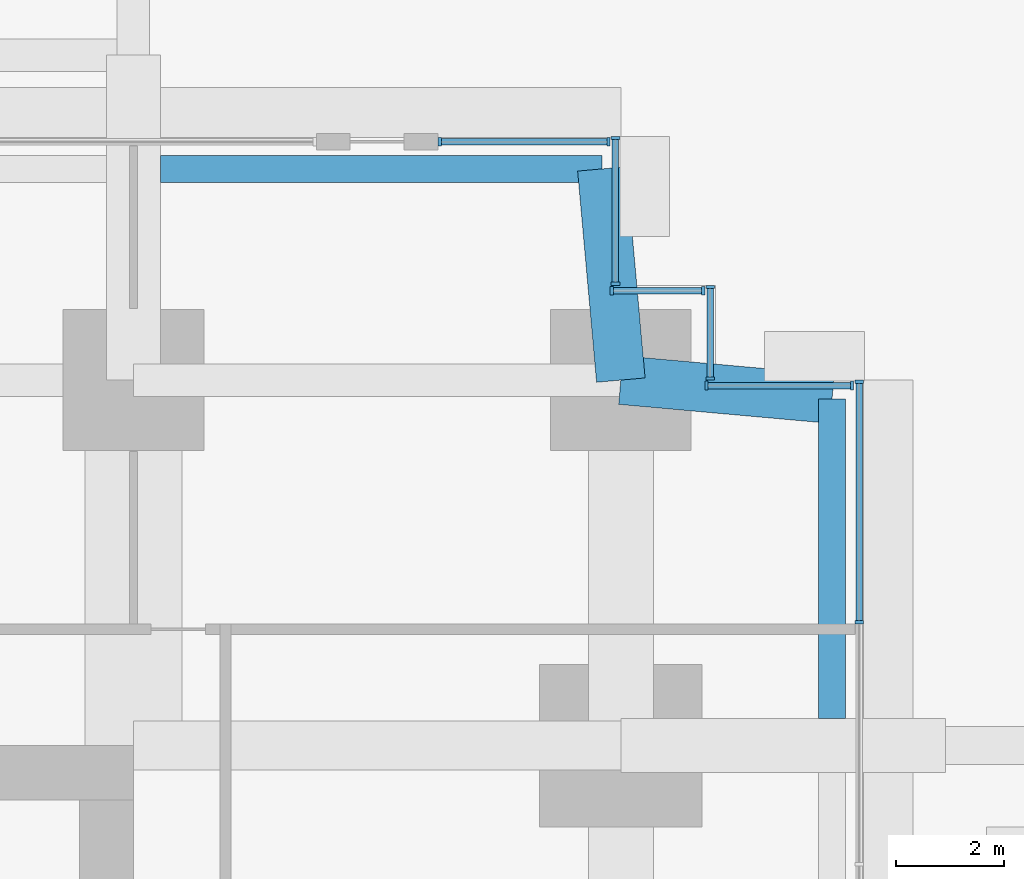
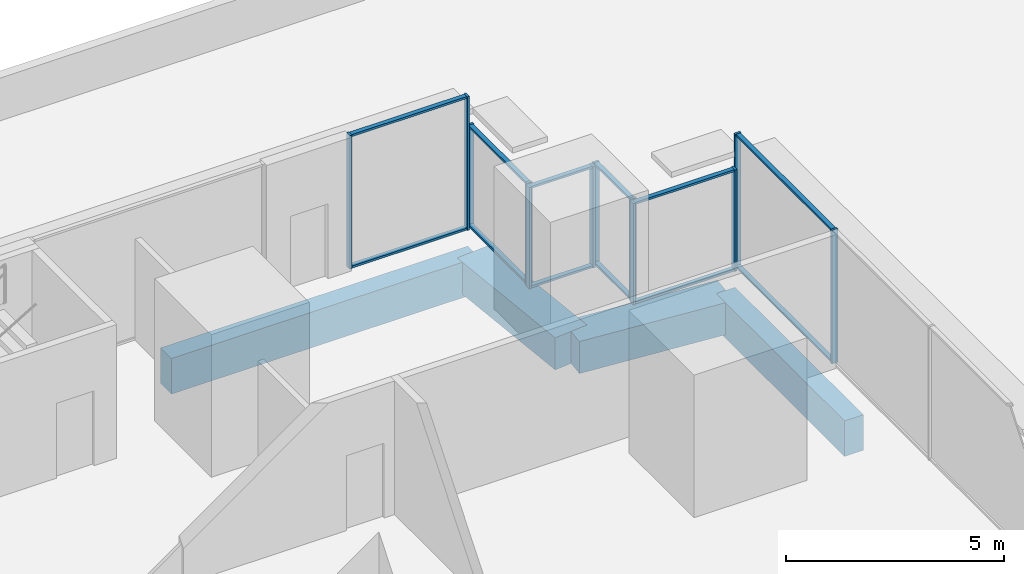
# One storey, part 11 of 34: 24 members, 4 beams, 6 elements without a shape of their own.
"""IFC4 building model written with IfcOpenShell, lengths in metres."""

from ifc_helpers import new_model, si_unit, direction, frame, origin, origin_2d, place, context, subcontext, project, spatial, rectangle, extrude, material, layer, layer_set, material_profile, profile_set, type_object, element, aggregate, save


model = new_model("IFC4")

# Units and contexts
model_context = context("Model", 3, precision=1e-05, world=origin(), true_north=direction((0.0, 1.0)))
body_context = subcontext(model_context, "Body", "Model", "MODEL_VIEW")
ifc_project = project(units=[si_unit("LENGTHUNIT", "METRE"), si_unit("AREAUNIT", "SQUARE_METRE"), si_unit("VOLUMEUNIT", "CUBIC_METRE"), si_unit("PLANEANGLEUNIT", "RADIAN"), si_unit("MASSUNIT", "GRAM", prefix="KILO")], contexts=[model_context])

# Site, building, storey
site_placement = place(None, origin())
site = spatial("IfcSite", under=ifc_project, at=site_placement, CompositionType="ELEMENT")
building_placement = place(site_placement, origin())
building = spatial("IfcBuilding", under=site, at=building_placement, Name="Namib Vertical Campus", CompositionType="ELEMENT")
storey_placement = place(building_placement, frame((0.0, 0.0, 21.0)))
storey = spatial("IfcBuildingStorey", under=building, at=storey_placement, Name="L04", CompositionType="ELEMENT", Elevation=21.0)

# Curtain wall, members
ifc_material_1 = material(Name="Black aluminium curtain wall", Category="aluminium")
ifc_layer = layer(ifc_material_1, 0.199951171875)
ifc_layer_set = layer_set([ifc_layer], Name="Lounge curtain wall CW-L4")
curtain_wall_type = type_object("IfcCurtainWallType", Name="Lounge curtain wall CW-L4", PredefinedType="USERDEFINED", material=ifc_layer_set)
curtain_wall_1_placement = place(storey_placement, origin())
curtain_wall_1 = element("IfcCurtainWall", 1, at=curtain_wall_1_placement, inside=storey, type_object=curtain_wall_type, Name="Curtain wall CW-L4 L04 F06-1", ObjectType="CURTAIN WALL", PredefinedType="USERDEFINED")
ifc_material_2 = material(Name="Black anodised aluminium", Category="aluminium")
ifc_material_profile_1 = material_profile(ifc_material_2, rectangle(XDim=0.06005859375, YDim=0.159912109375, at=origin_2d()))
ifc_profile_set_1 = profile_set([ifc_material_profile_1], Name="Black anodised aluminium")
member_type_1 = type_object("IfcMemberType", Name="Curtain wall mullion 60x160", PredefinedType="MULLION", material=ifc_profile_set_1)
member_1_placement = place(storey_placement, frame((40.39990234375, 31.528564453125, 0.0), z_axis=(0.0, 0.0, 1.0), x_axis=(0.0, 1.0, 0.0)))
member_1 = element("IfcMember", 2, at=member_1_placement, type_object=member_type_1, Name="CW-L4 mullion 7", PredefinedType="MULLION", context=body_context, shape_type="SweptSolid", body=[
    extrude(rectangle(XDim=0.06005859375, YDim=0.159912109375, at=origin_2d()), origin(), (0.0, 0.0, 1.0), 3.75),
])
member_2_placement = place(storey_placement, frame((40.39990234375, 35.969970703125, 0.0), z_axis=(0.0, 0.0, 1.0), x_axis=(0.0, 1.0, 0.0)))
member_2 = element("IfcMember", 3, at=member_2_placement, type_object=member_type_1, Name="CW-L4 mullion 8", PredefinedType="MULLION", context=body_context, shape_type="SweptSolid", body=[
    extrude(rectangle(XDim=0.06005859375, YDim=0.159912109375, at=origin_2d()), origin(), (0.0, 0.0, 1.0), 3.75),
])

curtain_wall_2_placement = place(storey_placement, origin())
curtain_wall_2 = element("IfcCurtainWall", 4, at=curtain_wall_2_placement, inside=storey, type_object=curtain_wall_type, Name="Curtain wall CW-L4 L04 F07-1", ObjectType="CURTAIN WALL", PredefinedType="USERDEFINED")
member_3_placement = place(storey_placement, frame((40.27001953125, 35.89990234375, 0.0), z_axis=(0.0, 0.0, 1.0), x_axis=(-1.0, 0.0, 0.0)))
member_3 = element("IfcMember", 5, at=member_3_placement, type_object=member_type_1, Name="CW-L4 mullion 1", PredefinedType="MULLION", context=body_context, shape_type="SweptSolid", body=[
    extrude(rectangle(XDim=0.06005859375, YDim=0.159912109375, at=origin_2d()), origin(), (0.0, 0.0, 1.0), 2.85009765625),
])
member_4_placement = place(storey_placement, frame((37.580078125, 35.89990234375, 0.0), z_axis=(0.0, 0.0, 1.0), x_axis=(-1.0, 0.0, 0.0)))
member_4 = element("IfcMember", 6, at=member_4_placement, type_object=member_type_1, Name="CW-L4 mullion 2", PredefinedType="MULLION", context=body_context, shape_type="SweptSolid", body=[
    extrude(rectangle(XDim=0.06005859375, YDim=0.159912109375, at=origin_2d()), origin(), (0.0, 0.0, 1.0), 2.85009765625),
])

curtain_wall_3_placement = place(storey_placement, origin())
curtain_wall_3 = element("IfcCurtainWall", 7, at=curtain_wall_3_placement, inside=storey, type_object=curtain_wall_type, Name="Curtain wall CW-L4 L04 F08-1", ObjectType="CURTAIN WALL", PredefinedType="USERDEFINED")
member_5_placement = place(storey_placement, frame((37.64990234375, 36.030029296875, 0.0), z_axis=(0.0, 0.0, 1.0), x_axis=(0.0, 1.0, 0.0)))
member_5 = element("IfcMember", 8, at=member_5_placement, type_object=member_type_1, Name="CW-L4 mullion 1", PredefinedType="MULLION", context=body_context, shape_type="SweptSolid", body=[
    extrude(rectangle(XDim=0.06005859375, YDim=0.159912109375, at=origin_2d()), origin(), (0.0, 0.0, 1.0), 2.85009765625),
])
member_6_placement = place(storey_placement, frame((37.64990234375, 37.719970703125, 0.0), z_axis=(0.0, 0.0, 1.0), x_axis=(0.0, 1.0, 0.0)))
member_6 = element("IfcMember", 9, at=member_6_placement, type_object=member_type_1, Name="CW-L4 mullion 2", PredefinedType="MULLION", context=body_context, shape_type="SweptSolid", body=[
    extrude(rectangle(XDim=0.06005859375, YDim=0.159912109375, at=origin_2d()), origin(), (0.0, 0.0, 1.0), 2.85009765625),
])

curtain_wall_4_placement = place(storey_placement, origin())
curtain_wall_4 = element("IfcCurtainWall", 10, at=curtain_wall_4_placement, inside=storey, type_object=curtain_wall_type, Name="Curtain wall CW-L4 L04 F09-1", ObjectType="CURTAIN WALL", PredefinedType="USERDEFINED")
member_7_placement = place(storey_placement, frame((37.52001953125, 37.64990234375, 0.0), z_axis=(0.0, 0.0, 1.0), x_axis=(-1.0, 0.0, 0.0)))
member_7 = element("IfcMember", 11, at=member_7_placement, type_object=member_type_1, Name="CW-L4 mullion 1", PredefinedType="MULLION", context=body_context, shape_type="SweptSolid", body=[
    extrude(rectangle(XDim=0.06005859375, YDim=0.159912109375, at=origin_2d()), origin(), (0.0, 0.0, 1.0), 2.85009765625),
])
member_8_placement = place(storey_placement, frame((35.830078125, 37.64990234375, 0.0), z_axis=(0.0, 0.0, 1.0), x_axis=(-1.0, 0.0, 0.0)))
member_8 = element("IfcMember", 12, at=member_8_placement, type_object=member_type_1, Name="CW-L4 mullion 2", PredefinedType="MULLION", context=body_context, shape_type="SweptSolid", body=[
    extrude(rectangle(XDim=0.06005859375, YDim=0.159912109375, at=origin_2d()), origin(), (0.0, 0.0, 1.0), 2.85009765625),
])

curtain_wall_5_placement = place(storey_placement, origin())
curtain_wall_5 = element("IfcCurtainWall", 13, at=curtain_wall_5_placement, inside=storey, type_object=curtain_wall_type, Name="Curtain wall CW-L4 L04 F10-1", ObjectType="CURTAIN WALL", PredefinedType="USERDEFINED")
member_9_placement = place(storey_placement, frame((35.89990234375, 37.780029296875, 0.0), z_axis=(0.0, 0.0, 1.0), x_axis=(0.0, 1.0, 0.0)))
member_9 = element("IfcMember", 14, at=member_9_placement, type_object=member_type_1, Name="CW-L4 mullion 1", PredefinedType="MULLION", context=body_context, shape_type="SweptSolid", body=[
    extrude(rectangle(XDim=0.06005859375, YDim=0.159912109375, at=origin_2d()), origin(), (0.0, 0.0, 1.0), 2.85009765625),
])
member_10_placement = place(storey_placement, frame((35.89990234375, 40.469970703125, 0.0), z_axis=(0.0, 0.0, 1.0), x_axis=(0.0, 1.0, 0.0)))
member_10 = element("IfcMember", 15, at=member_10_placement, type_object=member_type_1, Name="CW-L4 mullion 2", PredefinedType="MULLION", context=body_context, shape_type="SweptSolid", body=[
    extrude(rectangle(XDim=0.06005859375, YDim=0.159912109375, at=origin_2d()), origin(), (0.0, 0.0, 1.0), 2.85009765625),
])

curtain_wall_6_placement = place(storey_placement, origin())
curtain_wall_6 = element("IfcCurtainWall", 16, at=curtain_wall_6_placement, inside=storey, type_object=curtain_wall_type, Name="Curtain wall CW-L4 L04 F11-1", ObjectType="CURTAIN WALL", PredefinedType="USERDEFINED")
member_11_placement = place(storey_placement, frame((35.77001953125, 40.39990234375, 0.0), z_axis=(0.0, 0.0, 1.0), x_axis=(-1.0, 0.0, 0.0)))
member_11 = element("IfcMember", 17, at=member_11_placement, type_object=member_type_1, Name="CW-L4 mullion 1", PredefinedType="MULLION", context=body_context, shape_type="SweptSolid", body=[
    extrude(rectangle(XDim=0.06005859375, YDim=0.159912109375, at=origin_2d()), origin(), (0.0, 0.0, 1.0), 3.75),
])
member_12_placement = place(storey_placement, frame((32.655029296875, 40.39990234375, 0.0), z_axis=(0.0, 0.0, 1.0), x_axis=(-1.0, 0.0, 0.0)))
member_12 = element("IfcMember", 18, at=member_12_placement, type_object=member_type_1, Name="CW-L4 mullion 2", PredefinedType="MULLION", context=body_context, shape_type="SweptSolid", body=[
    extrude(rectangle(XDim=0.06005859375, YDim=0.159912109375, at=origin_2d()), origin(), (0.0, 0.0, 1.0), 3.75),
])

# Member
ifc_material_3 = material(Name="Black anodised aluminium", Category="aluminium")
ifc_material_profile_2 = material_profile(ifc_material_3, rectangle(XDim=0.06005859375, YDim=0.1201171875, at=origin_2d()))
ifc_profile_set_2 = profile_set([ifc_material_profile_2], Name="Black anodised aluminium")
member_type_2 = type_object("IfcMemberType", Name="Curtain wall transom 60x120", PredefinedType="USERDEFINED", material=ifc_profile_set_2)
member_13_placement = place(storey_placement, frame((40.39990234375, 31.55859375, 0.030029296875), z_axis=(0.0, 1.0, 0.0), x_axis=(0.0, 0.0, 1.0)))
member_13 = element("IfcMember", 19, at=member_13_placement, type_object=member_type_2, Name="CW-L4 transom 7.1", ObjectType="TRANSOM", PredefinedType="USERDEFINED", context=body_context, shape_type="SweptSolid", body=[
    extrude(rectangle(XDim=0.06005859375, YDim=0.1201171875, at=origin_2d()), origin(), (0.0, 0.0, 1.0), 4.38134765625),
])

member_14_placement = place(storey_placement, frame((40.39990234375, 31.55859375, 3.719970703125), z_axis=(0.0, 1.0, 0.0), x_axis=(0.0, 0.0, 1.0)))
member_14 = element("IfcMember", 20, at=member_14_placement, type_object=member_type_2, Name="CW-L4 transom 7.2", ObjectType="TRANSOM", PredefinedType="USERDEFINED", context=body_context, shape_type="SweptSolid", body=[
    extrude(rectangle(XDim=0.06005859375, YDim=0.1201171875, at=origin_2d()), origin(), (0.0, 0.0, 1.0), 4.38134765625),
])

aggregate(curtain_wall_1, [member_1, member_2, member_13, member_14])

member_15_placement = place(storey_placement, frame((40.239990234375, 35.89990234375, 0.030029296875), z_axis=(-1.0, 0.0, 0.0), x_axis=(0.0, 0.0, 1.0)))
member_15 = element("IfcMember", 21, at=member_15_placement, type_object=member_type_2, Name="CW-L4 transom 1.1", ObjectType="TRANSOM", PredefinedType="USERDEFINED", context=body_context, shape_type="SweptSolid", body=[
    extrude(rectangle(XDim=0.06005859375, YDim=0.1201171875, at=origin_2d()), origin(), (0.0, 0.0, 1.0), 2.6298828125),
])

member_16_placement = place(storey_placement, frame((40.239990234375, 35.89990234375, 2.820068359375), z_axis=(-1.0, 0.0, 0.0), x_axis=(0.0, 0.0, 1.0)))
member_16 = element("IfcMember", 22, at=member_16_placement, type_object=member_type_2, Name="CW-L4 transom 1.2", ObjectType="TRANSOM", PredefinedType="USERDEFINED", context=body_context, shape_type="SweptSolid", body=[
    extrude(rectangle(XDim=0.06005859375, YDim=0.1201171875, at=origin_2d()), origin(), (0.0, 0.0, 1.0), 2.6298828125),
])

aggregate(curtain_wall_2, [member_3, member_4, member_15, member_16])

member_17_placement = place(storey_placement, frame((37.64990234375, 36.06005859375, 0.030029296875), z_axis=(0.0, 1.0, 0.0), x_axis=(0.0, 0.0, 1.0)))
member_17 = element("IfcMember", 23, at=member_17_placement, type_object=member_type_2, Name="CW-L4 transom 1.1", ObjectType="TRANSOM", PredefinedType="USERDEFINED", context=body_context, shape_type="SweptSolid", body=[
    extrude(rectangle(XDim=0.06005859375, YDim=0.1201171875, at=origin_2d()), origin(), (0.0, 0.0, 1.0), 1.6298828125),
])

member_18_placement = place(storey_placement, frame((37.64990234375, 36.06005859375, 2.820068359375), z_axis=(0.0, 1.0, 0.0), x_axis=(0.0, 0.0, 1.0)))
member_18 = element("IfcMember", 24, at=member_18_placement, type_object=member_type_2, Name="CW-L4 transom 1.2", ObjectType="TRANSOM", PredefinedType="USERDEFINED", context=body_context, shape_type="SweptSolid", body=[
    extrude(rectangle(XDim=0.06005859375, YDim=0.1201171875, at=origin_2d()), origin(), (0.0, 0.0, 1.0), 1.6298828125),
])

aggregate(curtain_wall_3, [member_5, member_6, member_17, member_18])

member_19_placement = place(storey_placement, frame((37.489990234375, 37.64990234375, 0.030029296875), z_axis=(-1.0, 0.0, 0.0), x_axis=(0.0, 0.0, 1.0)))
member_19 = element("IfcMember", 25, at=member_19_placement, type_object=member_type_2, Name="CW-L4 transom 1.1", ObjectType="TRANSOM", PredefinedType="USERDEFINED", context=body_context, shape_type="SweptSolid", body=[
    extrude(rectangle(XDim=0.06005859375, YDim=0.1201171875, at=origin_2d()), origin(), (0.0, 0.0, 1.0), 1.6298828125),
])

member_20_placement = place(storey_placement, frame((37.489990234375, 37.64990234375, 2.820068359375), z_axis=(-1.0, 0.0, 0.0), x_axis=(0.0, 0.0, 1.0)))
member_20 = element("IfcMember", 26, at=member_20_placement, type_object=member_type_2, Name="CW-L4 transom 1.2", ObjectType="TRANSOM", PredefinedType="USERDEFINED", context=body_context, shape_type="SweptSolid", body=[
    extrude(rectangle(XDim=0.06005859375, YDim=0.1201171875, at=origin_2d()), origin(), (0.0, 0.0, 1.0), 1.6298828125),
])

aggregate(curtain_wall_4, [member_7, member_8, member_19, member_20])

member_21_placement = place(storey_placement, frame((35.89990234375, 37.81005859375, 0.030029296875), z_axis=(0.0, 1.0, 0.0), x_axis=(0.0, 0.0, 1.0)))
member_21 = element("IfcMember", 27, at=member_21_placement, type_object=member_type_2, Name="CW-L4 transom 1.1", ObjectType="TRANSOM", PredefinedType="USERDEFINED", context=body_context, shape_type="SweptSolid", body=[
    extrude(rectangle(XDim=0.06005859375, YDim=0.1201171875, at=origin_2d()), origin(), (0.0, 0.0, 1.0), 2.6298828125),
])

member_22_placement = place(storey_placement, frame((35.89990234375, 37.81005859375, 2.820068359375), z_axis=(0.0, 1.0, 0.0), x_axis=(0.0, 0.0, 1.0)))
member_22 = element("IfcMember", 28, at=member_22_placement, type_object=member_type_2, Name="CW-L4 transom 1.2", ObjectType="TRANSOM", PredefinedType="USERDEFINED", context=body_context, shape_type="SweptSolid", body=[
    extrude(rectangle(XDim=0.06005859375, YDim=0.1201171875, at=origin_2d()), origin(), (0.0, 0.0, 1.0), 2.6298828125),
])

aggregate(curtain_wall_5, [member_9, member_10, member_21, member_22])

member_23_placement = place(storey_placement, frame((35.739990234375, 40.39990234375, 0.030029296875), z_axis=(-1.0, 0.0, 0.0), x_axis=(0.0, 0.0, 1.0)))
member_23 = element("IfcMember", 29, at=member_23_placement, type_object=member_type_2, Name="CW-L4 transom 1.1", ObjectType="TRANSOM", PredefinedType="USERDEFINED", context=body_context, shape_type="SweptSolid", body=[
    extrude(rectangle(XDim=0.06005859375, YDim=0.1201171875, at=origin_2d()), origin(), (0.0, 0.0, 1.0), 3.054931640625),
])

member_24_placement = place(storey_placement, frame((35.739990234375, 40.39990234375, 3.719970703125), z_axis=(-1.0, 0.0, 0.0), x_axis=(0.0, 0.0, 1.0)))
member_24 = element("IfcMember", 30, at=member_24_placement, type_object=member_type_2, Name="CW-L4 transom 1.2", ObjectType="TRANSOM", PredefinedType="USERDEFINED", context=body_context, shape_type="SweptSolid", body=[
    extrude(rectangle(XDim=0.06005859375, YDim=0.1201171875, at=origin_2d()), origin(), (0.0, 0.0, 1.0), 3.054931640625),
])

aggregate(curtain_wall_6, [member_11, member_12, member_23, member_24])

# Beams
ifc_material_4 = material(Name="Concrete C40/50", Category="concrete")
ifc_material_profile_3 = material_profile(ifc_material_4, rectangle(XDim=0.89990234375, YDim=0.89990234375, at=origin_2d()))
ifc_profile_set_3 = profile_set([ifc_material_profile_3], Name="Concrete C40/50")
beam_type_1 = type_object("IfcBeamType", Name="Podium roof corner cantilever RC 900x900", PredefinedType="BEAM", material=ifc_profile_set_3)
for number, where, z_axis, x_axis, name in (
    (31, (36.0, 36.0, -0.75), (-0.089411326146, 0.995994786511, 0.0), (-0.995994786511, -0.089411326146, 0.0), "Beam B13 L04"),
    (32, (36.0, 36.0, -0.75), (0.995994786511, -0.089411326146, 0.0), (0.089411326146, 0.995994786511, 0.0), "Beam B13 L04"),
):
    element("IfcBeam", number, at=place(storey_placement, frame(where, z_axis=z_axis, x_axis=x_axis)), inside=storey, type_object=beam_type_1, Name=name, PredefinedType="BEAM", context=body_context, shape_type="SweptSolid", body=[
        extrude(rectangle(XDim=0.89990234375, YDim=0.89990234375, at=origin_2d()), origin(), (0.0, 0.0, 1.0), 3.91552734375),
    ])
ifc_material_5 = material(Name="Concrete C40/50", Category="concrete")
ifc_material_profile_4 = material_profile(ifc_material_5, rectangle(XDim=0.5, YDim=1.0, at=origin_2d()))
ifc_profile_set_4 = profile_set([ifc_material_profile_4], Name="Concrete C40/50")
beam_type_2 = type_object("IfcBeamType", Name="Podium roof edge beam RC 500x1000", PredefinedType="SPANDREL", material=ifc_profile_set_4)
beam_1_placement = place(storey_placement, frame((27.5, 39.89990234375, -0.800048828125), z_axis=(1.0, 0.0, 0.0), x_axis=(0.0, 1.0, 0.0)))
element("IfcBeam", 33, at=beam_1_placement, inside=storey, type_object=beam_type_2, Name="Beam B8 L04", PredefinedType="SPANDREL", context=body_context, shape_type="SweptSolid", body=[
    extrude(rectangle(XDim=0.5, YDim=1.0, at=origin_2d()), origin(), (0.0, 0.0, 1.0), 8.14990234375),
])
beam_2_placement = place(storey_placement, frame((39.89990234375, 29.75, -0.800048828125), z_axis=(0.0, 1.0, 0.0), x_axis=(-1.0, 0.0, 0.0)))
element("IfcBeam", 34, at=beam_2_placement, inside=storey, type_object=beam_type_2, Name="Beam B8 L04", PredefinedType="SPANDREL", context=body_context, shape_type="SweptSolid", body=[
    extrude(rectangle(XDim=0.5, YDim=1.0, at=origin_2d()), origin(), (0.0, 0.0, 1.0), 5.89990234375),
])

save(model, "model.ifc")
